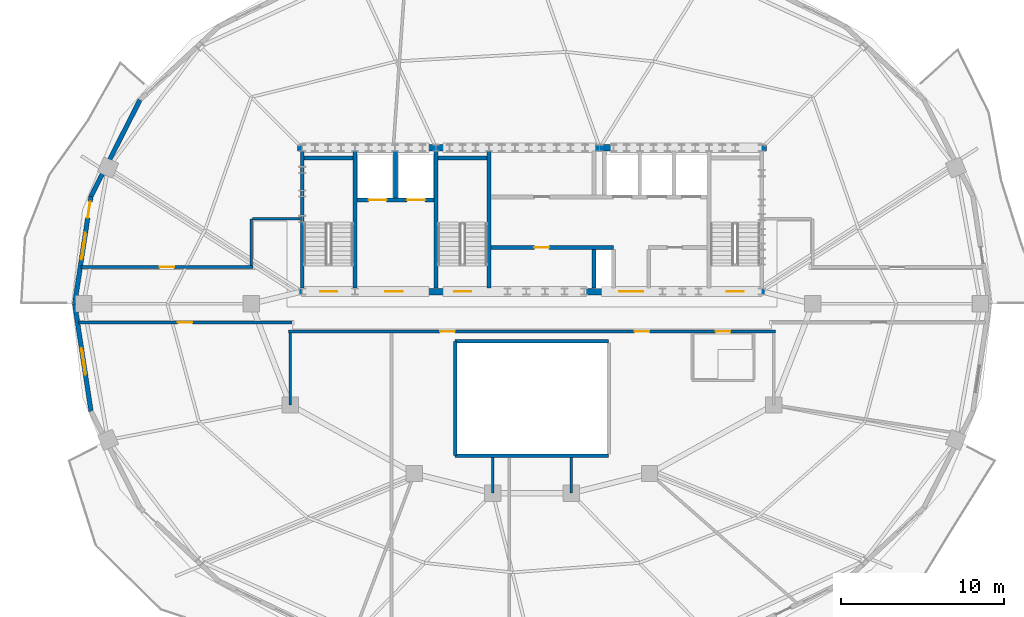
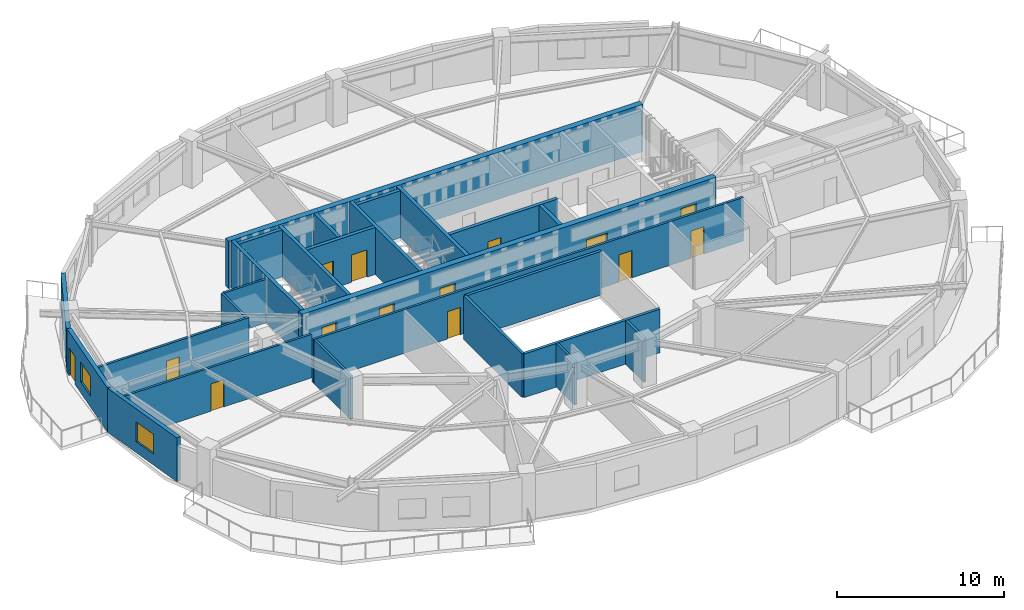
# One storey, part 4 of 11: 26 walls, 14 doors, 2 windows, 16 openings.
"""IFC4 building model written with IfcOpenShell, lengths in metres."""

import ifcopenshell
import ifcopenshell.guid

model = None  # the IFC model being written
_history = None  # IfcOwnerHistory: only IFC2X3 demands one
_inside = {}  # id of a spatial element -> (the spatial element, [elements in it])
_under = {}  # id of a project, library or spatial element -> (it, [spatial elements below it])
_declared = {}  # id of a project -> (the project, [libraries it declares])
_typed = {}  # id of a type object -> (the type object, [elements of that type])
_made_of = {}  # id of a material, layer set ... -> (it, [elements and type objects made of it])


def new_model(schema):
    """Start an empty IFC model of exactly this schema.

    Asked for "IFC4X3", IfcOpenShell would pick the latest addendum, in which some entities
    have other attributes; the version numbers below select the first issue.
    IFC2X3 requires an IfcOwnerHistory on every rooted entity: one is made here for all.
    """
    global model, _history
    if schema == "IFC4X3":
        model = ifcopenshell.file(schema_version=(4, 3, 0, 0))
    else:
        model = ifcopenshell.file(schema=schema)
    _inside.clear()
    _under.clear()
    _declared.clear()
    _typed.clear()
    _made_of.clear()
    _history = None
    if model.schema == "IFC2X3":
        org = make("IfcOrganization", Name="unknown")
        user = make(
            "IfcPersonAndOrganization",
            ThePerson=make("IfcPerson", FamilyName="unknown"),
            TheOrganization=org,
        )
        app = make(
            "IfcApplication",
            ApplicationDeveloper=org,
            Version="unknown",
            ApplicationFullName="unknown",
            ApplicationIdentifier="unknown",
        )
        _history = make(
            "IfcOwnerHistory",
            OwningUser=user,
            OwningApplication=app,
            ChangeAction="ADDED",
            CreationDate=0,
        )
    return model


def make(cls, **values):
    """One entity of the class cls with the attributes given. An attribute that is None is left unset."""
    return model.create_entity(
        cls, **{name: value for name, value in values.items() if value is not None}
    )


def rooted(cls, **values):
    """An entity with a GlobalId (a new one), such as an element, a storey or a relation."""
    return make(cls, GlobalId=ifcopenshell.guid.new(), OwnerHistory=_history, **values)


def si_unit(unit_type, name, prefix=None):
    """IfcSIUnit, for example si_unit("LENGTHUNIT", "METRE", prefix="MILLI")."""
    return make("IfcSIUnit", UnitType=unit_type, Prefix=prefix, Name=name)


def assignment(units):
    """IfcUnitAssignment: the units of a project."""
    return None if units is None else make("IfcUnitAssignment", Units=units)


def point(xyz):
    """IfcCartesianPoint."""
    return None if xyz is None else make("IfcCartesianPoint", Coordinates=xyz)


def direction(xyz):
    """IfcDirection."""
    return None if xyz is None else make("IfcDirection", DirectionRatios=xyz)


def frame(location, z_axis=None, x_axis=None):
    """IfcAxis2Placement3D, a coordinate frame: its origin and axes. An axis left out is left unset."""
    return make(
        "IfcAxis2Placement3D",
        Location=point(location),
        Axis=direction(z_axis),
        RefDirection=direction(x_axis),
    )


def frame_2d(location, x_axis=None):
    """IfcAxis2Placement2D, a coordinate frame in the plane: its origin and x axis."""
    return make(
        "IfcAxis2Placement2D", Location=point(location), RefDirection=direction(x_axis)
    )


def origin():
    """The frame at (0, 0, 0) with its axes left unset."""
    return frame((0.0, 0.0, 0.0))


def place(relative_to, where):
    """IfcLocalPlacement: puts the frame where relative to a parent placement (None: the world)."""
    return make(
        "IfcLocalPlacement", PlacementRelTo=relative_to, RelativePlacement=where
    )


def context(
    kind, dimensions, precision=None, world=None, true_north=None, identifier=None
):
    """IfcGeometricRepresentationContext, for example the 3D "Model" context."""
    return make(
        "IfcGeometricRepresentationContext",
        ContextIdentifier=identifier,
        ContextType=kind,
        CoordinateSpaceDimension=dimensions,
        Precision=precision,
        WorldCoordinateSystem=world,
        TrueNorth=true_north,
    )


def subcontext(parent, identifier, kind, view, scale=None):
    """IfcGeometricRepresentationSubContext, for example "Body" below "Model"."""
    return make(
        "IfcGeometricRepresentationSubContext",
        ContextIdentifier=identifier,
        ContextType=kind,
        ParentContext=parent,
        TargetScale=scale,
        TargetView=view,
    )


def project(units=None, contexts=None):
    """IfcProject with its units and contexts."""
    return rooted(
        "IfcProject",
        Name="project",
        RepresentationContexts=contexts,
        UnitsInContext=assignment(units),
    )


def spatial(cls, under=None, at=None, **own):
    """A site, building, storey or space (cls), placed at a placement, below another one or the project."""
    s = rooted(cls, ObjectPlacement=at, **own)
    if under is not None:
        _under.setdefault(under.id(), (under, []))[1].append(s)
    return s


def profile(cls, at=None, kind="AREA", **sizes):
    """A parametric profile (cls). Its sizes go by their IFC names, for example OverallWidth=200.0."""
    return make(cls, ProfileType=kind, Position=at, **sizes)


def rectangle(**sizes):
    """IfcRectangleProfileDef."""
    return profile("IfcRectangleProfileDef", **sizes)


def extrude(swept, where, along, depth):
    """IfcExtrudedAreaSolid: the profile swept, set in the frame where, extruded along a direction by depth."""
    return make(
        "IfcExtrudedAreaSolid",
        SweptArea=swept,
        Position=where,
        ExtrudedDirection=direction(along),
        Depth=depth,
    )


def shape(context_of_items, identifier, shape_type, items):
    """IfcShapeRepresentation: the items that make up one representation, for example the "Body"."""
    return make(
        "IfcShapeRepresentation",
        ContextOfItems=context_of_items,
        RepresentationIdentifier=identifier,
        RepresentationType=shape_type,
        Items=items,
    )


def material(Name=None, Category=None):
    """IfcMaterial."""
    return make("IfcMaterial", Name=Name, Category=Category)


def layer(
    of_material, thickness, ventilated=None, Name=None, Category=None, Priority=None
):
    """IfcMaterialLayer: one layer of a wall or slab, of a material (None: an air gap)."""
    return make(
        "IfcMaterialLayer",
        Material=of_material,
        LayerThickness=thickness,
        IsVentilated=ventilated,
        Name=Name,
        Category=Category,
        Priority=Priority,
    )


def layer_set(layers, Name=None):
    """IfcMaterialLayerSet."""
    return make("IfcMaterialLayerSet", MaterialLayers=layers, LayerSetName=Name)


def made_of(thing, what):
    """Note that an element or type object is made of a material, layer set ...; save() writes the relation."""
    if what is not None:
        _made_of.setdefault(what.id(), (what, []))[1].append(thing)
    return thing


def type_object(cls, material=None, **own):
    """A type object (cls), such as IfcWallType, which elements share."""
    return made_of(rooted(cls, **own), material)


def element(
    cls,
    number,
    at=None,
    inside=None,
    cuts=None,
    type_object=None,
    material=None,
    context=None,
    identifier="Body",
    shape_type=None,
    held_by="IfcProductDefinitionShape",
    body=None,
    shapes=None,
    **own,
):
    """One element of the class cls, such as IfcWall. Its Tag is "e" and its number.

    at: its placement. inside: the storey or other place that contains it. cuts: it is an
    opening in that element (IfcRelVoidsElement). A single representation is given by context,
    identifier, shape_type and body (its items); several are given by shapes. held_by: the class
    of the entity that holds the representations. save() writes the other relations.
    """
    e = rooted(cls, Tag="e%d" % number, ObjectPlacement=at, **own)
    if body is not None:
        shapes = [shape(context, identifier, shape_type, body)]
    if shapes is not None:
        e.Representation = make(held_by, Representations=shapes)
    if inside is not None:
        _inside.setdefault(inside.id(), (inside, []))[1].append(e)
    if cuts is not None:
        rooted(
            "IfcRelVoidsElement", RelatingBuildingElement=cuts, RelatedOpeningElement=e
        )
    if type_object is not None:
        _typed.setdefault(type_object.id(), (type_object, []))[1].append(e)
    return made_of(e, material)


def fill(opening, filler):
    """IfcRelFillsElement: the door or window that sits in an opening."""
    return rooted(
        "IfcRelFillsElement",
        RelatingOpeningElement=opening,
        RelatedBuildingElement=filler,
    )


def aggregate(whole, parts):
    """IfcRelAggregates: a whole, such as a stair, and the parts it consists of."""
    return rooted("IfcRelAggregates", RelatingObject=whole, RelatedObjects=parts)


def save(model, path):
    """Write the relations noted so far, then the file.

    IfcRelAggregates (storeys below a building ...), IfcRelContainedInSpatialStructure (elements
    in a storey), IfcRelDefinesByType, IfcRelAssociatesMaterial and IfcRelDeclares: one each for
    every whole, place, type object, material and project.
    """
    for whole, parts in _under.values():
        aggregate(whole, parts)
    for where, things in _inside.values():
        rooted(
            "IfcRelContainedInSpatialStructure",
            RelatedElements=things,
            RelatingStructure=where,
        )
    for kind, things in _typed.values():
        rooted("IfcRelDefinesByType", RelatedObjects=things, RelatingType=kind)
    for what, things in _made_of.values():
        rooted("IfcRelAssociatesMaterial", RelatedObjects=things, RelatingMaterial=what)
    for by, libraries in _declared.values():
        rooted("IfcRelDeclares", RelatingContext=by, RelatedDefinitions=libraries)
    model.write(path)


model = new_model("IFC4")

# Units and contexts
model_context = context("Model", 3, precision=1e-05, world=origin(), true_north=direction((0.0, 1.0)))
body_context = subcontext(model_context, "Body", "Model", "MODEL_VIEW")
ifc_project = project(units=[si_unit("LENGTHUNIT", "METRE"), si_unit("AREAUNIT", "SQUARE_METRE"), si_unit("VOLUMEUNIT", "CUBIC_METRE"), si_unit("PLANEANGLEUNIT", "RADIAN"), si_unit("MASSUNIT", "GRAM", prefix="KILO")], contexts=[model_context])

# Site, building, storey
site_placement = place(None, origin())
site = spatial("IfcSite", under=ifc_project, at=site_placement, CompositionType="ELEMENT")
building_placement = place(site_placement, origin())
building = spatial("IfcBuilding", under=site, at=building_placement, Name="Haldorwick Loom Tower", CompositionType="ELEMENT")
storey_placement = place(building_placement, frame((0.0, 0.0, 230.550048828125)))
storey = spatial("IfcBuildingStorey", under=building, at=storey_placement, Name="L62", CompositionType="ELEMENT", Elevation=230.550048828125)

# Wall
ifc_material_1 = material(Name="Pressed Clay Face Brick and Insulated Masonry Backup Assembly", Category="masonry")
ifc_layer_1 = layer(ifc_material_1, 0.280029296875, Name="Pressed Clay Face Brick and Insulated Masonry Backup Assembly", Category="masonry")
ifc_layer_set_1 = layer_set([ifc_layer_1], Name="Pressed Clay Face Brick and Insulated Masonry Backup Assembly")
wall_type_1 = type_object("IfcWallType", Name="ARC-WL-EXT280", PredefinedType="STANDARD", material=ifc_layer_set_1)
wall_1_placement = place(storey_placement, frame((11.994384765625, 38.4853515625, 0.0), z_axis=(0.0, 0.0, 1.0), x_axis=(-0.453032066879, -0.89149422117, 0.0)))
element("IfcWall", 1, at=wall_1_placement, inside=storey, type_object=wall_type_1, Name="L62 Brick Pier and Spandrel Wall 11", PredefinedType="STANDARD", context=body_context, shape_type="SweptSolid", body=[
    extrude(rectangle(XDim=6.618896484375, YDim=0.280029296875, at=frame_2d((3.3095703125, 0.0))), origin(), (0.0, 0.0, 1.0), 2.640869140625),
])

# Wall, openings, door, window
wall_2_placement = place(storey_placement, frame((8.995849609375, 32.584716796875, 0.0), z_axis=(0.0, 0.0, 1.0), x_axis=(-0.150467697578, -0.988614926038, 0.0)))
wall_2 = element("IfcWall", 2, at=wall_2_placement, inside=storey, type_object=wall_type_1, Name="L62 Brick Pier and Spandrel Wall 12", PredefinedType="STANDARD", context=body_context, shape_type="SweptSolid", body=[
    extrude(rectangle(XDim=6.66064453125, YDim=0.280029296875, at=frame_2d((3.330322265625, 0.0))), origin(), (0.0, 0.0, 1.0), 3.2099609375),
])
opening_1_placement = place(wall_2_placement, frame((0.340087890625, 0.0, 0.0)))
opening_1 = element("IfcOpeningElement", 3, at=opening_1_placement, cuts=wall_2, Name="Opening D-BL10", PredefinedType="OPENING", context=body_context, shape_type="SweptSolid", body=[
    extrude(rectangle(XDim=1.0, YDim=2.0400390625, at=frame_2d((0.5, 1.02001953125))), frame((0.0, 0.14990234375, 0.0), z_axis=(0.0, -1.0, 0.0), x_axis=(1.0, 0.0, 0.0)), (0.0, 0.0, 1.0), 0.300048828125),
])
opening_2_placement = place(wall_2_placement, frame((2.2646484375, 0.0, 0.800048828125)))
opening_2 = element("IfcOpeningElement", 4, at=opening_2_placement, cuts=wall_2, Name="Opening W-01B", PredefinedType="OPENING", context=body_context, shape_type="SweptSolid", body=[
    extrude(rectangle(XDim=1.64990234375, YDim=1.449951171875, at=frame_2d((0.824951171875, 0.72509765625))), frame((0.0, 0.14990234375, 0.0), z_axis=(0.0, -1.0, 0.0), x_axis=(1.0, 0.0, 0.0)), (0.0, 0.0, 1.0), 0.300048828125),
])
ifc_material_2 = material(Name="Thermally Broken Anodized Aluminium Curtain Wall Framing", Category="aluminium")
door_type_1 = type_object("IfcDoorType", Name="ARC-DR-BAL100", OperationType="NOTDEFINED", PredefinedType="DOOR", material=ifc_material_2)
door_1_placement = place(opening_1_placement, origin())
door_1 = element("IfcDoor", 5, at=door_1_placement, inside=storey, type_object=door_type_1, Name="L62 Outdoor Terrace Door SLB-L62-BAL_WNW", OperationType="SINGLE_SWING_RIGHT", OverallHeight=2.0400390625, OverallWidth=1.0, PredefinedType="DOOR", context=body_context, shape_type="SweptSolid", body=[
    extrude(rectangle(XDim=1.0, YDim=2.0400390625, at=frame_2d((0.5, 1.02001953125))), frame((0.0, 0.02490234375, 0.0), z_axis=(0.0, -1.0, 0.0), x_axis=(1.0, 0.0, 0.0)), (0.0, 0.0, 1.0), 0.050048828125),
])
fill(opening_1, door_1)
ifc_material_3 = material(Name="Triple-Glazed Low-E Argon Insulated Glazing Unit", Category="glass")
window_type = type_object("IfcWindowType", Name="ARC-WIN-W165", PartitioningType="SINGLE_PANEL", PredefinedType="WINDOW", material=ifc_material_3)
window_1_placement = place(opening_2_placement, origin())
window_1 = element("IfcWindow", 6, at=window_1_placement, inside=storey, type_object=window_type, Name="L62 Deep-Set Zone 7A Window 12", OverallHeight=1.449951171875, OverallWidth=1.64990234375, PartitioningType="SINGLE_PANEL", PredefinedType="WINDOW", context=body_context, shape_type="SweptSolid", body=[
    extrude(rectangle(XDim=1.64990234375, YDim=1.449951171875, at=frame_2d((0.824951171875, 0.72509765625))), frame((0.0, 0.030029296875, 0.0), z_axis=(0.0, -1.0, 0.0), x_axis=(1.0, 0.0, 0.0)), (0.0, 0.0, 1.0), 0.06005859375),
])
fill(opening_2, window_1)

# Wall, opening, window
wall_3_placement = place(storey_placement, frame((7.99365234375, 26.0, 0.0), z_axis=(0.0, 0.0, 1.0), x_axis=(0.150467697578, -0.988614926038, 0.0)))
wall_3 = element("IfcWall", 7, at=wall_3_placement, inside=storey, type_object=wall_type_1, Name="L62 Brick Pier and Spandrel Wall 13", PredefinedType="STANDARD", context=body_context, shape_type="SweptSolid", body=[
    extrude(rectangle(XDim=6.66064453125, YDim=0.280029296875, at=frame_2d((3.330322265625, 0.0))), origin(), (0.0, 0.0, 1.0), 3.2099609375),
])
opening_3_placement = place(wall_3_placement, frame((2.745849609375, 0.0, 0.800048828125)))
opening_3 = element("IfcOpeningElement", 8, at=opening_3_placement, cuts=wall_3, Name="Opening W-01B", PredefinedType="OPENING", context=body_context, shape_type="SweptSolid", body=[
    extrude(rectangle(XDim=1.64990234375, YDim=1.449951171875, at=frame_2d((0.824951171875, 0.72509765625))), frame((0.0, 0.14990234375, 0.0), z_axis=(0.0, -1.0, 0.0), x_axis=(1.0, 0.0, 0.0)), (0.0, 0.0, 1.0), 0.300048828125),
])
window_2_placement = place(opening_3_placement, origin())
window_2 = element("IfcWindow", 9, at=window_2_placement, inside=storey, type_object=window_type, Name="L62 Deep-Set Zone 7A Window 13", OverallHeight=1.449951171875, OverallWidth=1.64990234375, PartitioningType="SINGLE_PANEL", PredefinedType="WINDOW", context=body_context, shape_type="SweptSolid", body=[
    extrude(rectangle(XDim=1.64990234375, YDim=1.449951171875, at=frame_2d((0.824951171875, 0.72509765625))), frame((0.0, 0.030029296875, 0.0), z_axis=(0.0, -1.0, 0.0), x_axis=(1.0, 0.0, 0.0)), (0.0, 0.0, 1.0), 0.06005859375),
])
fill(opening_3, window_2)

# Wall, openings, doors
ifc_material_4 = material(Name="Fire-Rated Type X Gypsum Stud Assembly EI 60")
ifc_layer_2 = layer(ifc_material_4, 0.159912109375, Name="Fire-Rated Type X Gypsum Stud Assembly EI 60")
ifc_layer_set_2 = layer_set([ifc_layer_2], Name="Fire-Rated Type X Gypsum Stud Assembly EI 60")
wall_type_2 = type_object("IfcWallType", Name="ARC-WL-FIRE160", PredefinedType="PARTITIONING", material=ifc_layer_set_2)
wall_4_placement = place(storey_placement, frame((21.10009765625, 24.300048828125, 0.0), z_axis=(0.0, 0.0, 1.0), x_axis=(1.0, 0.0, 0.0)))
wall_4 = element("IfcWall", 10, at=wall_4_placement, inside=storey, type_object=wall_type_2, Name="L62 Residential Fire Partition L62-CR-SP", PredefinedType="PARTITIONING", context=body_context, shape_type="SweptSolid", body=[
    extrude(rectangle(XDim=29.7998046875, YDim=0.159912109375, at=frame_2d((14.89990234375, 0.0))), origin(), (0.0, 0.0, 1.0), 3.195068359375),
])
opening_4_placement = place(wall_4_placement, frame((21.1826171875, 0.0, 0.0)))
opening_4 = element("IfcOpeningElement", 11, at=opening_4_placement, cuts=wall_4, Name="Opening D-FD60A", PredefinedType="OPENING", context=body_context, shape_type="SweptSolid", body=[
    extrude(rectangle(XDim=0.89990234375, YDim=2.0, at=frame_2d((0.449951171875, 1.0))), frame((0.0, 0.08984375, 0.0), z_axis=(0.0, -1.0, 0.0), x_axis=(1.0, 0.0, 0.0)), (0.0, 0.0, 1.0), 0.179931640625),
])
opening_5_placement = place(wall_4_placement, frame((9.272705078125, 0.0, 0.0)))
opening_5 = element("IfcOpeningElement", 12, at=opening_5_placement, cuts=wall_4, Name="Opening D-FD60A", PredefinedType="OPENING", context=body_context, shape_type="SweptSolid", body=[
    extrude(rectangle(XDim=0.89990234375, YDim=2.0, at=frame_2d((0.449951171875, 1.0))), frame((0.0, 0.08984375, 0.0), z_axis=(0.0, -1.0, 0.0), x_axis=(1.0, 0.0, 0.0)), (0.0, 0.0, 1.0), 0.179931640625),
])
opening_6_placement = place(wall_4_placement, frame((26.1494140625, 0.0, 0.0)))
opening_6 = element("IfcOpeningElement", 13, at=opening_6_placement, cuts=wall_4, Name="Opening D-FD60A", PredefinedType="OPENING", context=body_context, shape_type="SweptSolid", body=[
    extrude(rectangle(XDim=0.89990234375, YDim=2.0, at=frame_2d((0.449951171875, 1.0))), frame((0.0, 0.08984375, 0.0), z_axis=(0.0, -1.0, 0.0), x_axis=(1.0, 0.0, 0.0)), (0.0, 0.0, 1.0), 0.179931640625),
])
ifc_material_5 = material(Name="Hollow Steel Fire Door Assembly", Category="steel")
door_type_2 = type_object("IfcDoorType", Name="ARC-DR-FD60-90", OperationType="NOTDEFINED", PredefinedType="DOOR", material=ifc_material_5)
door_2_placement = place(opening_4_placement, origin())
door_2 = element("IfcDoor", 14, at=door_2_placement, inside=storey, type_object=door_type_2, Name="L62 L62 Central Residential Corridor to Community Library Hall 2 Door", OperationType="SINGLE_SWING_LEFT", OverallHeight=2.0, OverallWidth=0.89990234375, PredefinedType="DOOR", context=body_context, shape_type="SweptSolid", body=[
    extrude(rectangle(XDim=0.89990234375, YDim=2.0, at=frame_2d((0.449951171875, 1.0))), frame((0.0, 0.02490234375, 0.0), z_axis=(0.0, -1.0, 0.0), x_axis=(1.0, 0.0, 0.0)), (0.0, 0.0, 1.0), 0.050048828125),
])
fill(opening_4, door_2)
door_3_placement = place(opening_5_placement, origin())
door_3 = element("IfcDoor", 15, at=door_3_placement, inside=storey, type_object=door_type_2, Name="L62 L62 Central Residential Corridor to Community Library Hall 1 Door", OperationType="SINGLE_SWING_RIGHT", OverallHeight=2.0, OverallWidth=0.89990234375, PredefinedType="DOOR", context=body_context, shape_type="SweptSolid", body=[
    extrude(rectangle(XDim=0.89990234375, YDim=2.0, at=frame_2d((0.449951171875, 1.0))), frame((0.0, 0.02490234375, 0.0), z_axis=(0.0, -1.0, 0.0), x_axis=(1.0, 0.0, 0.0)), (0.0, 0.0, 1.0), 0.050048828125),
])
fill(opening_5, door_3)
door_4_placement = place(opening_6_placement, origin())
door_4 = element("IfcDoor", 16, at=door_4_placement, inside=storey, type_object=door_type_2, Name="L62 L62 Central Residential Corridor to Common Accessible WC Door", OperationType="SINGLE_SWING_LEFT", OverallHeight=2.0, OverallWidth=0.89990234375, PredefinedType="DOOR", context=body_context, shape_type="SweptSolid", body=[
    extrude(rectangle(XDim=0.89990234375, YDim=2.0, at=frame_2d((0.449951171875, 1.0))), frame((0.0, 0.02490234375, 0.0), z_axis=(0.0, -1.0, 0.0), x_axis=(1.0, 0.0, 0.0)), (0.0, 0.0, 1.0), 0.050048828125),
])
fill(opening_6, door_4)

# Wall, opening, door
wall_5_placement = place(storey_placement, frame((8.214111328125, 24.85009765625, 0.0), z_axis=(0.0, 0.0, 1.0), x_axis=(1.0, 0.0, 0.0)))
wall_5 = element("IfcWall", 17, at=wall_5_placement, inside=storey, type_object=wall_type_2, Name="L62 Residential Fire Partition L62-CR-SPW", PredefinedType="PARTITIONING", context=body_context, shape_type="SweptSolid", body=[
    extrude(rectangle(XDim=13.0859375, YDim=0.159912109375, at=frame_2d((6.54296875, 0.0))), origin(), (0.0, 0.0, 1.0), 3.195068359375),
])
opening_7_placement = place(wall_5_placement, frame((6.093017578125, 0.0, 0.0)))
opening_7 = element("IfcOpeningElement", 18, at=opening_7_placement, cuts=wall_5, Name="Opening D-FD60A", PredefinedType="OPENING", context=body_context, shape_type="SweptSolid", body=[
    extrude(rectangle(XDim=0.89990234375, YDim=2.0, at=frame_2d((0.449951171875, 1.0))), frame((0.0, 0.08984375, 0.0), z_axis=(0.0, -1.0, 0.0), x_axis=(1.0, 0.0, 0.0)), (0.0, 0.0, 1.0), 0.179931640625),
])
door_5_placement = place(opening_7_placement, origin())
door_5 = element("IfcDoor", 19, at=door_5_placement, inside=storey, type_object=door_type_2, Name="L62 L62 Central Residential Corridor to Community Library Hall 3 Door", OperationType="SINGLE_SWING_RIGHT", OverallHeight=2.0, OverallWidth=0.89990234375, PredefinedType="DOOR", context=body_context, shape_type="SweptSolid", body=[
    extrude(rectangle(XDim=0.89990234375, YDim=2.0, at=frame_2d((0.449951171875, 1.0))), frame((0.0, 0.02490234375, 0.0), z_axis=(0.0, -1.0, 0.0), x_axis=(1.0, 0.0, 0.0)), (0.0, 0.0, 1.0), 0.050048828125),
])
fill(opening_7, door_5)

wall_6_placement = place(storey_placement, frame((8.381591796875, 28.25, 0.0), z_axis=(0.0, 0.0, 1.0), x_axis=(1.0, 0.0, 0.0)))
wall_6 = element("IfcWall", 20, at=wall_6_placement, inside=storey, type_object=wall_type_2, Name="L62 Residential Fire Partition L62-CR-NWL", PredefinedType="PARTITIONING", context=body_context, shape_type="SweptSolid", body=[
    extrude(rectangle(XDim=10.518310546875, YDim=0.159912109375, at=frame_2d((5.25927734375, 0.0))), origin(), (0.0, 0.0, 1.0), 3.195068359375),
])
opening_8_placement = place(wall_6_placement, frame((4.80908203125, 0.0, 0.0)))
opening_8 = element("IfcOpeningElement", 21, at=opening_8_placement, cuts=wall_6, Name="Opening D-FD60A", PredefinedType="OPENING", context=body_context, shape_type="SweptSolid", body=[
    extrude(rectangle(XDim=0.89990234375, YDim=2.0, at=frame_2d((0.449951171875, 1.0))), frame((0.0, 0.08984375, 0.0), z_axis=(0.0, -1.0, 0.0), x_axis=(1.0, 0.0, 0.0)), (0.0, 0.0, 1.0), 0.179931640625),
])
door_6_placement = place(opening_8_placement, frame((0.89990234375, 0.0, 0.0), z_axis=(0.0, 0.0, 1.0), x_axis=(-1.0, 0.0, 0.0)))
door_6 = element("IfcDoor", 22, at=door_6_placement, inside=storey, type_object=door_type_2, Name="L62 Community Library Hall 5 to L62 Central Residential Corridor Door", OperationType="SINGLE_SWING_LEFT", OverallHeight=2.0, OverallWidth=0.89990234375, PredefinedType="DOOR", context=body_context, shape_type="SweptSolid", body=[
    extrude(rectangle(XDim=0.89990234375, YDim=2.0, at=frame_2d((0.449951171875, 1.0))), frame((0.0, 0.02490234375, 0.0), z_axis=(0.0, -1.0, 0.0), x_axis=(1.0, 0.0, 0.0)), (0.0, 0.0, 1.0), 0.050048828125),
])
fill(opening_8, door_6)

# Walls
wall_7_placement = place(storey_placement, frame((18.800048828125, 28.3330078125, 0.0), z_axis=(0.0, 0.0, 1.0), x_axis=(0.0, 1.0, 0.0)))
element("IfcWall", 23, at=wall_7_placement, inside=storey, type_object=wall_type_2, Name="L62 Residential Fire Partition L62-CR-W0", PredefinedType="PARTITIONING", context=body_context, shape_type="SweptSolid", body=[
    extrude(rectangle(XDim=2.866943359375, YDim=0.159912109375, at=frame_2d((1.43359375, 0.0))), origin(), (0.0, 0.0, 1.0), 3.195068359375),
])
wall_8_placement = place(storey_placement, frame((18.883056640625, 31.199951171875, 0.0), z_axis=(0.0, 0.0, 1.0), x_axis=(1.0, 0.0, 0.0)))
element("IfcWall", 24, at=wall_8_placement, inside=storey, type_object=wall_type_2, Name="L62 Residential Fire Partition L62-CR-WNJ", PredefinedType="PARTITIONING", context=body_context, shape_type="SweptSolid", body=[
    extrude(rectangle(XDim=2.923828125, YDim=0.159912109375, at=frame_2d((1.4619140625, 0.0))), origin(), (0.0, 0.0, 1.0), 3.195068359375),
])
for number, where, z_axis, x_axis, name in (
    (25, (38.39990234375, 16.596923828125, 0.0), (0.0, 0.0, 1.0), (0.0, -1.0, 0.0), "L62 Residential Fire Partition L62-ICA-05"),
    (26, (33.60009765625, 16.596923828125, 0.0), (0.0, 0.0, 1.0), (0.0, -1.0, 0.0), "L62 Residential Fire Partition L62-ICA-06"),
):
    element("IfcWall", number, at=place(storey_placement, frame(where, z_axis=z_axis, x_axis=x_axis)), inside=storey, type_object=wall_type_2, Name=name, PredefinedType="PARTITIONING", context=body_context, shape_type="SweptSolid", body=[
        extrude(rectangle(XDim=2.197021484375, YDim=0.159912109375, at=frame_2d((1.0986328125, 0.0))), origin(), (0.0, 0.0, 1.0), 3.195068359375),
    ])
wall_9_placement = place(storey_placement, frame((21.199951171875, 24.217041015625, 0.0), z_axis=(0.0, 0.0, 1.0), x_axis=(0.0, -1.0, 0.0)))
element("IfcWall", 27, at=wall_9_placement, inside=storey, type_object=wall_type_2, Name="L62 Residential Fire Partition L62-ICA-09", PredefinedType="PARTITIONING", context=body_context, shape_type="SweptSolid", body=[
    extrude(rectangle(XDim=4.4169921875, YDim=0.159912109375, at=frame_2d((2.20849609375, 0.0))), origin(), (0.0, 0.0, 1.0), 3.195068359375),
])
ifc_material_6 = material(Name="Fire-Rated Type X Gypsum Stud Assembly EI 120")
ifc_layer_3 = layer(ifc_material_6, 0.199951171875, Name="Fire-Rated Type X Gypsum Stud Assembly EI 120")
ifc_layer_set_3 = layer_set([ifc_layer_3], Name="Fire-Rated Type X Gypsum Stud Assembly EI 120")
wall_type_3 = type_object("IfcWallType", Name="ARC-WL-FIRE200", PredefinedType="PARTITIONING", material=ifc_layer_set_3)
for number, where, z_axis, x_axis, name in (
    (28, (31.300048828125, 23.699951171875, 0.0), (0.0, 0.0, 1.0), (1.0, 0.0, 0.0), "L62 Atrium Fire Enclosure Wall N"),
    (29, (40.699951171875, 16.699951171875, 0.0), (0.0, 0.0, 1.0), (-1.0, 0.0, 0.0), "L62 Atrium Fire Enclosure Wall S"),
):
    element("IfcWall", number, at=place(storey_placement, frame(where, z_axis=z_axis, x_axis=x_axis)), inside=storey, type_object=wall_type_3, Name=name, PredefinedType="PARTITIONING", context=body_context, shape_type="SweptSolid", body=[
        extrude(rectangle(XDim=9.39990234375, YDim=0.199951171875, at=frame_2d((4.699951171875, 0.0))), origin(), (0.0, 0.0, 1.0), 3.195068359375),
    ])
wall_10_placement = place(storey_placement, frame((31.300048828125, 16.699951171875, 0.0), z_axis=(0.0, 0.0, 1.0), x_axis=(0.0, 1.0, 0.0)))
element("IfcWall", 30, at=wall_10_placement, inside=storey, type_object=wall_type_3, Name="L62 Atrium Fire Enclosure Wall W", PredefinedType="PARTITIONING", context=body_context, shape_type="SweptSolid", body=[
    extrude(rectangle(XDim=7.0, YDim=0.199951171875, at=frame_2d((3.5, 0.0))), origin(), (0.0, 0.0, 1.0), 3.195068359375),
])

# Wall, openings, doors
ifc_material_7 = material(Name="Concrete C50 (50 MPa)", Category="concrete")
ifc_layer_4 = layer(ifc_material_7, 0.39990234375, Name="Concrete C50 (50 MPa)", Category="concrete")
ifc_layer_set_4 = layer_set([ifc_layer_4], Name="Concrete C50 (50 MPa)")
wall_type_4 = type_object("IfcWallType", Name="STR-WL-CORE400", PredefinedType="SHEAR", material=ifc_layer_set_4)
wall_11_placement = place(storey_placement, frame((21.64990234375, 26.75, 0.0), z_axis=(0.0, 0.0, 1.0), x_axis=(1.0, 0.0, 0.0)))
wall_11 = element("IfcWall", 31, at=wall_11_placement, inside=storey, type_object=wall_type_4, Name="L62 Core Shear Wall S", PredefinedType="SHEAR", context=body_context, shape_type="SweptSolid", body=[
    extrude(rectangle(XDim=28.7001953125, YDim=0.39990234375, at=frame_2d((14.35009765625, 0.0))), origin(), (0.0, 0.0, 1.0), 3.449951171875),
])
opening_9_placement = place(wall_11_placement, frame((1.375, 0.0, 0.0)))
opening_9 = element("IfcOpeningElement", 32, at=opening_9_placement, cuts=wall_11, Name="Opening D-FD60", PredefinedType="OPENING", context=body_context, shape_type="SweptSolid", body=[
    extrude(rectangle(XDim=1.050048828125, YDim=2.0, at=frame_2d((0.52490234375, 1.0))), frame((0.0, 0.2099609375, 0.0), z_axis=(0.0, -1.0, 0.0), x_axis=(1.0, 0.0, 0.0)), (0.0, 0.0, 1.0), 0.419921875),
])
opening_10_placement = place(wall_11_placement, frame((5.375, 0.0, 0.0)))
opening_10 = element("IfcOpeningElement", 33, at=opening_10_placement, cuts=wall_11, Name="Opening D-FD60", PredefinedType="OPENING", context=body_context, shape_type="SweptSolid", body=[
    extrude(rectangle(XDim=1.050048828125, YDim=2.0, at=frame_2d((0.52490234375, 1.0))), frame((0.0, 0.2099609375, 0.0), z_axis=(0.0, -1.0, 0.0), x_axis=(1.0, 0.0, 0.0)), (0.0, 0.0, 1.0), 0.419921875),
])
opening_11_placement = place(wall_11_placement, frame((9.574951171875, 0.0, 0.0)))
opening_11 = element("IfcOpeningElement", 34, at=opening_11_placement, cuts=wall_11, Name="Opening D-FD60", PredefinedType="OPENING", context=body_context, shape_type="SweptSolid", body=[
    extrude(rectangle(XDim=1.050048828125, YDim=2.0, at=frame_2d((0.52490234375, 1.0))), frame((0.0, 0.2099609375, 0.0), z_axis=(0.0, -1.0, 0.0), x_axis=(1.0, 0.0, 0.0)), (0.0, 0.0, 1.0), 0.419921875),
])
opening_12_placement = place(wall_11_placement, frame((19.705078125, 0.0, 0.0)))
opening_12 = element("IfcOpeningElement", 35, at=opening_12_placement, cuts=wall_11, Name="Opening D-LB15", PredefinedType="OPENING", context=body_context, shape_type="SweptSolid", body=[
    extrude(rectangle(XDim=1.449951171875, YDim=2.0, at=frame_2d((0.72509765625, 1.0))), frame((0.0, 0.2099609375, 0.0), z_axis=(0.0, -1.0, 0.0), x_axis=(1.0, 0.0, 0.0)), (0.0, 0.0, 1.0), 0.419921875),
])
opening_13_placement = place(wall_11_placement, frame((26.27490234375, 0.0, 0.0)))
opening_13 = element("IfcOpeningElement", 36, at=opening_13_placement, cuts=wall_11, Name="Opening D-FD60", PredefinedType="OPENING", context=body_context, shape_type="SweptSolid", body=[
    extrude(rectangle(XDim=1.050048828125, YDim=2.0, at=frame_2d((0.52490234375, 1.0))), frame((0.0, 0.2099609375, 0.0), z_axis=(0.0, -1.0, 0.0), x_axis=(1.0, 0.0, 0.0)), (0.0, 0.0, 1.0), 0.419921875),
])
door_type_3 = type_object("IfcDoorType", Name="ARC-DR-FD60", OperationType="NOTDEFINED", PredefinedType="DOOR", material=ifc_material_5)
door_7_placement = place(opening_9_placement, origin())
door_7 = element("IfcDoor", 37, at=door_7_placement, inside=storey, type_object=door_type_3, Name="L62 Exit Stair ST-01 Fire Door", OperationType="SINGLE_SWING_RIGHT", OverallHeight=2.0, OverallWidth=1.050048828125, PredefinedType="DOOR", context=body_context, shape_type="SweptSolid", body=[
    extrude(rectangle(XDim=1.050048828125, YDim=2.0, at=frame_2d((0.52490234375, 1.0))), frame((0.0, 0.02490234375, 0.0), z_axis=(0.0, -1.0, 0.0), x_axis=(1.0, 0.0, 0.0)), (0.0, 0.0, 1.0), 0.050048828125),
])
fill(opening_9, door_7)
door_8_placement = place(opening_10_placement, origin())
door_8 = element("IfcDoor", 38, at=door_8_placement, inside=storey, type_object=door_type_3, Name="L62 Firefighting Lift Lobby Fire Door", OperationType="SINGLE_SWING_LEFT", OverallHeight=2.0, OverallWidth=1.050048828125, PredefinedType="DOOR", context=body_context, shape_type="SweptSolid", body=[
    extrude(rectangle(XDim=1.050048828125, YDim=2.0, at=frame_2d((0.52490234375, 1.0))), frame((0.0, 0.02490234375, 0.0), z_axis=(0.0, -1.0, 0.0), x_axis=(1.0, 0.0, 0.0)), (0.0, 0.0, 1.0), 0.050048828125),
])
fill(opening_10, door_8)
door_9_placement = place(opening_11_placement, origin())
door_9 = element("IfcDoor", 39, at=door_9_placement, inside=storey, type_object=door_type_3, Name="L62 Exit Stair ST-03 Fire Door", OperationType="SINGLE_SWING_LEFT", OverallHeight=2.0, OverallWidth=1.050048828125, PredefinedType="DOOR", context=body_context, shape_type="SweptSolid", body=[
    extrude(rectangle(XDim=1.050048828125, YDim=2.0, at=frame_2d((0.52490234375, 1.0))), frame((0.0, 0.02490234375, 0.0), z_axis=(0.0, -1.0, 0.0), x_axis=(1.0, 0.0, 0.0)), (0.0, 0.0, 1.0), 0.050048828125),
])
fill(opening_11, door_9)
door_10_placement = place(opening_13_placement, origin())
door_10 = element("IfcDoor", 40, at=door_10_placement, inside=storey, type_object=door_type_3, Name="L62 Exit Stair ST-02 Fire Door", OperationType="SINGLE_SWING_LEFT", OverallHeight=2.0, OverallWidth=1.050048828125, PredefinedType="DOOR", context=body_context, shape_type="SweptSolid", body=[
    extrude(rectangle(XDim=1.050048828125, YDim=2.0, at=frame_2d((0.52490234375, 1.0))), frame((0.0, 0.02490234375, 0.0), z_axis=(0.0, -1.0, 0.0), x_axis=(1.0, 0.0, 0.0)), (0.0, 0.0, 1.0), 0.050048828125),
])
fill(opening_13, door_10)
ifc_material_8 = material(Name="Thermally Broken Anodized Aluminium and Tempered Glass", Category="aluminium")
door_type_4 = type_object("IfcDoorType", Name="ARC-DR-LOB150", OperationType="NOTDEFINED", PredefinedType="DOOR", material=ifc_material_8)
door_11_placement = place(opening_12_placement, frame((1.449951171875, 0.0, 0.0), z_axis=(0.0, 0.0, 1.0), x_axis=(-1.0, 0.0, 0.0)))
door_11 = element("IfcDoor", 41, at=door_11_placement, inside=storey, type_object=door_type_4, Name="L62 Passenger Lift Lobby Fire Door", OperationType="DOUBLE_DOOR_SINGLE_SWING", OverallHeight=2.0, OverallWidth=1.449951171875, PredefinedType="DOOR", context=body_context, shape_type="SweptSolid", body=[
    extrude(rectangle(XDim=1.449951171875, YDim=2.0, at=frame_2d((0.72509765625, 1.0))), frame((0.0, 0.02490234375, 0.0), z_axis=(0.0, -1.0, 0.0), x_axis=(1.0, 0.0, 0.0)), (0.0, 0.0, 1.0), 0.050048828125),
])
fill(opening_12, door_11)

# Walls
wall_12_placement = place(storey_placement, frame((50.35009765625, 35.550048828125, 0.0), z_axis=(0.0, 0.0, 1.0), x_axis=(-1.0, 0.0, 0.0)))
element("IfcWall", 42, at=wall_12_placement, inside=storey, type_object=wall_type_4, Name="L62 Core Shear Wall N", PredefinedType="SHEAR", context=body_context, shape_type="SweptSolid", body=[
    extrude(rectangle(XDim=28.7001953125, YDim=0.39990234375, at=frame_2d((14.35009765625, 0.0))), origin(), (0.0, 0.0, 1.0), 3.449951171875),
])
ifc_layer_5 = layer(ifc_material_7, 0.239990234375, Name="Concrete C50 (50 MPa)", Category="concrete")
ifc_layer_set_5 = layer_set([ifc_layer_5], Name="Concrete C50 (50 MPa)")
wall_type_5 = type_object("IfcWallType", Name="STR-WL-SHAFT240", PredefinedType="SHEAR", material=ifc_layer_set_5)
for number, where, z_axis, x_axis, name in (
    (43, (21.929931640625, 35.346923828125, 0.0), (0.0, 0.0, 1.0), (0.0, -1.0, 0.0), "L62 Core Shear Wall W"),
    (44, (25.169921875, 26.952880859375, 0.0), (0.0, 0.0, 1.0), (0.0, 1.0, 0.0), "L62 Core Shear Wall 1"),
):
    element("IfcWall", number, at=place(storey_placement, frame(where, z_axis=z_axis, x_axis=x_axis)), inside=storey, type_object=wall_type_5, Name=name, PredefinedType="SHEAR", context=body_context, shape_type="SweptSolid", body=[
        extrude(rectangle(XDim=8.39404296875, YDim=0.239990234375, at=frame_2d((4.197021484375, 0.0))), origin(), (0.0, 0.0, 1.0), 3.449951171875),
    ])
wall_13_placement = place(storey_placement, frame((22.052978515625, 34.919921875, 0.0), z_axis=(0.0, 0.0, 1.0), x_axis=(1.0, 0.0, 0.0)))
element("IfcWall", 45, at=wall_13_placement, inside=storey, type_object=wall_type_5, Name="L62 Core Shear Wall 1N", PredefinedType="SHEAR", context=body_context, shape_type="SweptSolid", body=[
    extrude(rectangle(XDim=2.994140625, YDim=0.239990234375, at=frame_2d((1.4970703125, 0.0))), origin(), (0.0, 0.0, 1.0), 3.449951171875),
])
for number, where, z_axis, x_axis, name in (
    (46, (30.1298828125, 26.952880859375, 0.0), (0.0, 0.0, 1.0), (0.0, 1.0, 0.0), "L62 Core Shear Wall 2"),
    (47, (33.3701171875, 26.952880859375, 0.0), (0.0, 0.0, 1.0), (0.0, 1.0, 0.0), "L62 Core Shear Wall 3"),
):
    element("IfcWall", number, at=place(storey_placement, frame(where, z_axis=z_axis, x_axis=x_axis)), inside=storey, type_object=wall_type_5, Name=name, PredefinedType="SHEAR", context=body_context, shape_type="SweptSolid", body=[
        extrude(rectangle(XDim=8.39404296875, YDim=0.239990234375, at=frame_2d((4.197021484375, 0.0))), origin(), (0.0, 0.0, 1.0), 3.449951171875),
    ])
wall_14_placement = place(storey_placement, frame((30.2529296875, 34.919921875, 0.0), z_axis=(0.0, 0.0, 1.0), x_axis=(1.0, 0.0, 0.0)))
element("IfcWall", 48, at=wall_14_placement, inside=storey, type_object=wall_type_5, Name="L62 Core Shear Wall 3N", PredefinedType="SHEAR", context=body_context, shape_type="SweptSolid", body=[
    extrude(rectangle(XDim=2.994140625, YDim=0.239990234375, at=frame_2d((1.4970703125, 0.0))), origin(), (0.0, 0.0, 1.0), 3.449951171875),
])

# Wall, openings, doors
wall_15_placement = place(storey_placement, frame((25.29296875, 32.35009765625, 0.0), z_axis=(0.0, 0.0, 1.0), x_axis=(1.0, 0.0, 0.0)))
wall_15 = element("IfcWall", 49, at=wall_15_placement, inside=storey, type_object=wall_type_5, Name="L62 Core Shear Wall FF", PredefinedType="SHEAR", context=body_context, shape_type="SweptSolid", body=[
    extrude(rectangle(XDim=4.714111328125, YDim=0.239990234375, at=frame_2d((2.35693359375, 0.0))), origin(), (0.0, 0.0, 1.0), 3.449951171875),
])
opening_14_placement = place(wall_15_placement, frame((0.70703125, 0.0, 0.0)))
opening_14 = element("IfcOpeningElement", 50, at=opening_14_placement, cuts=wall_15, Name="Opening LD-FF1", PredefinedType="OPENING", context=body_context, shape_type="SweptSolid", body=[
    extrude(rectangle(XDim=1.10009765625, YDim=2.0, at=frame_2d((0.550048828125, 1.0))), frame((0.0, 0.1298828125, 0.0), z_axis=(0.0, -1.0, 0.0), x_axis=(1.0, 0.0, 0.0)), (0.0, 0.0, 1.0), 0.260009765625),
])
opening_15_placement = place(wall_15_placement, frame((3.056884765625, 0.0, 0.0)))
opening_15 = element("IfcOpeningElement", 51, at=opening_15_placement, cuts=wall_15, Name="Opening LD-FF2", PredefinedType="OPENING", context=body_context, shape_type="SweptSolid", body=[
    extrude(rectangle(XDim=1.10009765625, YDim=2.0, at=frame_2d((0.550048828125, 1.0))), frame((0.0, 0.1298828125, 0.0), z_axis=(0.0, -1.0, 0.0), x_axis=(1.0, 0.0, 0.0)), (0.0, 0.0, 1.0), 0.260009765625),
])
door_type_5 = type_object("IfcDoorType", Name="ARC-DR-LD-FF", OperationType="NOTDEFINED", PredefinedType="USERDEFINED", material=ifc_material_5)
door_12_placement = place(opening_14_placement, origin())
door_12 = element("IfcDoor", 52, at=door_12_placement, inside=storey, type_object=door_type_5, Name="L62 Lift LF-FF1 Sliding Landing Door", ObjectType="LANDING DOOR", OperationType="DOUBLE_DOOR_SLIDING", OverallHeight=2.0, OverallWidth=1.10009765625, PredefinedType="USERDEFINED", context=body_context, shape_type="SweptSolid", body=[
    extrude(rectangle(XDim=1.10009765625, YDim=2.0, at=frame_2d((0.550048828125, 1.0))), frame((0.0, 0.02490234375, 0.0), z_axis=(0.0, -1.0, 0.0), x_axis=(1.0, 0.0, 0.0)), (0.0, 0.0, 1.0), 0.050048828125),
])
fill(opening_14, door_12)
door_13_placement = place(opening_15_placement, origin())
door_13 = element("IfcDoor", 53, at=door_13_placement, inside=storey, type_object=door_type_5, Name="L62 Lift LF-FF2 Sliding Landing Door", ObjectType="LANDING DOOR", OperationType="DOUBLE_DOOR_SLIDING", OverallHeight=2.0, OverallWidth=1.10009765625, PredefinedType="USERDEFINED", context=body_context, shape_type="SweptSolid", body=[
    extrude(rectangle(XDim=1.10009765625, YDim=2.0, at=frame_2d((0.550048828125, 1.0))), frame((0.0, 0.02490234375, 0.0), z_axis=(0.0, -1.0, 0.0), x_axis=(1.0, 0.0, 0.0)), (0.0, 0.0, 1.0), 0.050048828125),
])
fill(opening_15, door_13)

# Wall
wall_16_placement = place(storey_placement, frame((27.64990234375, 32.472900390625, 0.0), z_axis=(0.0, 0.0, 1.0), x_axis=(0.0, 1.0, 0.0)))
element("IfcWall", 54, at=wall_16_placement, inside=storey, type_object=wall_type_5, Name="L62 Core Shear Wall FFD", PredefinedType="SHEAR", context=body_context, shape_type="SweptSolid", body=[
    extrude(rectangle(XDim=2.8740234375, YDim=0.239990234375, at=frame_2d((1.43701171875, 0.0))), origin(), (0.0, 0.0, 1.0), 3.449951171875),
])

# Wall, opening, door
wall_17_placement = place(storey_placement, frame((33.492919921875, 29.449951171875, 0.0), z_axis=(0.0, 0.0, 1.0), x_axis=(1.0, 0.0, 0.0)))
wall_17 = element("IfcWall", 55, at=wall_17_placement, inside=storey, type_object=wall_type_5, Name="L62 Core Shear Wall LS1", PredefinedType="SHEAR", context=body_context, shape_type="SweptSolid", body=[
    extrude(rectangle(XDim=7.507080078125, YDim=0.239990234375, at=frame_2d((3.75341796875, 0.0))), origin(), (0.0, 0.0, 1.0), 3.449951171875),
])
opening_16_placement = place(wall_17_placement, frame((2.656982421875, 0.0, 0.0)))
opening_16 = element("IfcOpeningElement", 56, at=opening_16_placement, cuts=wall_17, Name="Opening D-FD60A", PredefinedType="OPENING", context=body_context, shape_type="SweptSolid", body=[
    extrude(rectangle(XDim=0.89990234375, YDim=2.0, at=frame_2d((0.449951171875, 1.0))), frame((0.0, 0.1298828125, 0.0), z_axis=(0.0, -1.0, 0.0), x_axis=(1.0, 0.0, 0.0)), (0.0, 0.0, 1.0), 0.260009765625),
])
door_14_placement = place(opening_16_placement, origin())
door_14 = element("IfcDoor", 57, at=door_14_placement, inside=storey, type_object=door_type_2, Name="L62 Switch Room Door", OperationType="SINGLE_SWING_RIGHT", OverallHeight=2.0, OverallWidth=0.89990234375, PredefinedType="DOOR", context=body_context, shape_type="SweptSolid", body=[
    extrude(rectangle(XDim=0.89990234375, YDim=2.0, at=frame_2d((0.449951171875, 1.0))), frame((0.0, 0.02490234375, 0.0), z_axis=(0.0, -1.0, 0.0), x_axis=(1.0, 0.0, 0.0)), (0.0, 0.0, 1.0), 0.050048828125),
])
fill(opening_16, door_14)

# Wall
wall_18_placement = place(storey_placement, frame((39.800048828125, 26.952880859375, 0.0), z_axis=(0.0, 0.0, 1.0), x_axis=(0.0, 1.0, 0.0)))
element("IfcWall", 58, at=wall_18_placement, inside=storey, type_object=wall_type_5, Name="L62 Core Shear Wall MRW", PredefinedType="SHEAR", context=body_context, shape_type="SweptSolid", body=[
    extrude(rectangle(XDim=2.3740234375, YDim=0.239990234375, at=frame_2d((1.18701171875, 0.0))), origin(), (0.0, 0.0, 1.0), 3.449951171875),
])

save(model, "model.ifc")
